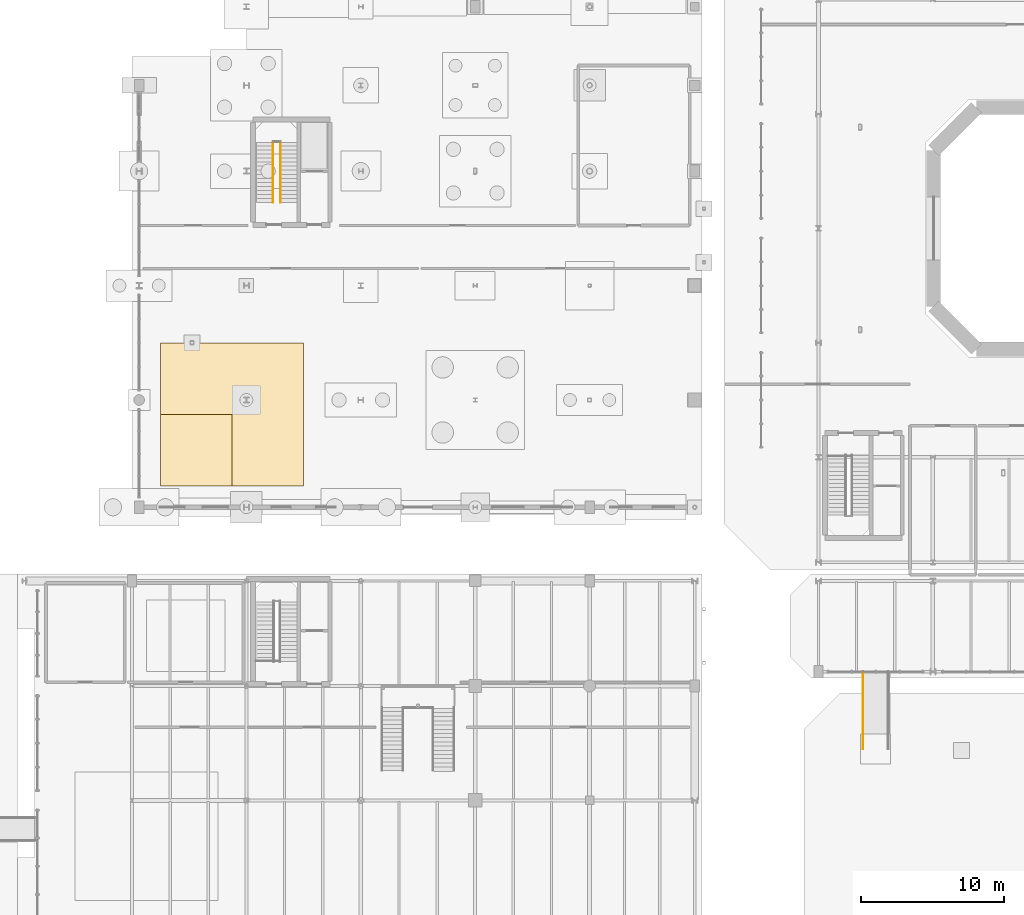
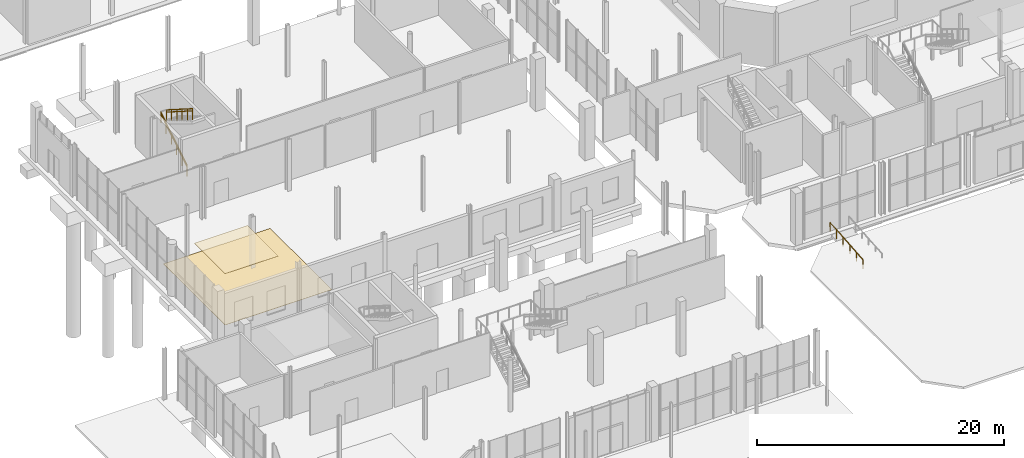
# One storey, part 79 of 87: 5 railings, 2 coverings.
"""IFC4 building model written with IfcOpenShell, lengths in metres."""

from ifc_helpers import new_model, si_unit, direction, frame, origin, origin_2d, place, context, subcontext, project, spatial, rectangle, circle, extrude, material, layer, layer_set, type_object, element, save


model = new_model("IFC4")

# Units and contexts
model_context = context("Model", 3, precision=1e-05, world=origin(), true_north=direction((0.0, 1.0)))
body_context = subcontext(model_context, "Body", "Model", "MODEL_VIEW")
ifc_project = project(units=[si_unit("LENGTHUNIT", "METRE"), si_unit("AREAUNIT", "SQUARE_METRE"), si_unit("VOLUMEUNIT", "CUBIC_METRE"), si_unit("PLANEANGLEUNIT", "RADIAN"), si_unit("MASSUNIT", "GRAM", prefix="KILO")], contexts=[model_context])

# Site, building, storey
site_placement = place(None, origin())
site = spatial("IfcSite", under=ifc_project, at=site_placement, CompositionType="ELEMENT")
building_placement = place(site_placement, origin())
building = spatial("IfcBuilding", under=site, at=building_placement, Name="Brisemont Oceanarium", CompositionType="ELEMENT")
storey_placement = place(building_placement, origin())
storey = spatial("IfcBuildingStorey", under=building, at=storey_placement, Name="L00", CompositionType="ELEMENT", Elevation=0.0)

# Coverings
ifc_material_1 = material(Name="Perforated Marine-Grade Acoustic Baffle Ceiling")
ifc_layer_1 = layer(ifc_material_1, 0.0400390625)
ifc_layer_set_1 = layer_set([ifc_layer_1], Name="Perforated Marine-Grade Acoustic Baffle Ceiling")
covering_type_1 = type_object("IfcCoveringType", Name="COV-CEIL-AC", PredefinedType="CEILING", material=ifc_layer_set_1)
covering_1_placement = place(storey_placement, frame((20.5, 40.5, 5.06005859375), z_axis=(0.0, 0.0, 1.0), x_axis=(1.0, 0.0, 0.0)))
element("IfcCovering", 1, at=covering_1_placement, inside=storey, type_object=covering_type_1, Name="Acoustic baffle ceiling CLG-V5W-L00", PredefinedType="CEILING", context=body_context, shape_type="SweptSolid", body=[
    extrude(rectangle(XDim=5.0, YDim=5.0, at=origin_2d()), origin(), (0.0, 0.0, 1.0), 0.0400390625),
])
ifc_material_2 = material(Name="Epoxy-Bound Recycled Glass Marine Terrazzo", Category="glass")
ifc_layer_2 = layer(ifc_material_2, 0.02490234375)
ifc_layer_set_2 = layer_set([ifc_layer_2], Name="Epoxy-Bound Recycled Glass Marine Terrazzo")
covering_type_2 = type_object("IfcCoveringType", Name="COV-FLR-TER", PredefinedType="FLOORING", material=ifc_layer_set_2)
covering_2_placement = place(storey_placement, frame((23.0, 43.0, 0.0), z_axis=(0.0, 0.0, 1.0), x_axis=(1.0, 0.0, 0.0)))
element("IfcCovering", 2, at=covering_2_placement, inside=storey, type_object=covering_type_2, Name="Marine terrazzo flooring FLG-V5W-KELP", PredefinedType="FLOORING", context=body_context, shape_type="SweptSolid", body=[
    extrude(rectangle(XDim=10.0, YDim=10.0, at=origin_2d()), origin(), (0.0, 0.0, 1.0), 0.02490234375),
])

# Railings
ifc_material_3 = material(Name="Duplex Stainless Steel EN 1.4462", Category="steel")
railing_type_1 = type_object("IfcRailingType", Name="RLG-GUARD-1120", PredefinedType="GUARDRAIL", material=ifc_material_3)
railing_1_placement = place(storey_placement, frame((25.8701171875, 57.800048828125, 0.0)))
element("IfcRailing", 3, at=railing_1_placement, inside=storey, type_object=railing_type_1, Name="ST-05 L00 F1 well guard", PredefinedType="GUARDRAIL", context=body_context, shape_type="SweptSolid", body=[
    extrude(circle(Radius=0.02392578125, at=origin_2d()), frame((0.0, 0.0, 1.09619140625), z_axis=(0.0, 0.84407452441, 0.536225882666), x_axis=(-1.0, 0.0, 0.0)), (0.0, 0.0, 1.0), 5.03515625),
    extrude(circle(Radius=0.02099609375, at=origin_2d()), origin(), (0.0, 0.0, 1.0), 1.072021484375),
    extrude(circle(Radius=0.02099609375, at=origin_2d()), frame((0.0, 0.85009765625, 0.5400390625)), (0.0, 0.0, 1.0), 1.072021484375),
    extrude(circle(Radius=0.02099609375, at=origin_2d()), frame((0.0, 1.699951171875, 1.080078125)), (0.0, 0.0, 1.0), 1.072021484375),
    extrude(circle(Radius=0.02099609375, at=origin_2d()), frame((0.0, 2.550048828125, 1.619873046875)), (0.0, 0.0, 1.0), 1.072021484375),
    extrude(circle(Radius=0.02099609375, at=origin_2d()), frame((0.0, 3.39990234375, 2.159912109375)), (0.0, 0.0, 1.0), 1.072021484375),
    extrude(circle(Radius=0.02099609375, at=origin_2d()), frame((0.0, 4.25, 2.699951171875)), (0.0, 0.0, 1.0), 1.072021484375),
])
railing_2_placement = place(storey_placement, frame((26.389892578125, 62.050048828125, 2.699951171875)))
element("IfcRailing", 4, at=railing_2_placement, inside=storey, type_object=railing_type_1, Name="ST-05 L00 F2 well guard", PredefinedType="GUARDRAIL", context=body_context, shape_type="SweptSolid", body=[
    extrude(circle(Radius=0.02392578125, at=origin_2d()), frame((0.0, 0.0, 1.09619140625), z_axis=(0.0, -0.84407452441, 0.536225882666), x_axis=(1.0, 0.0, 0.0)), (0.0, 0.0, 1.0), 5.03515625),
    extrude(circle(Radius=0.02099609375, at=origin_2d()), origin(), (0.0, 0.0, 1.0), 1.072021484375),
    extrude(circle(Radius=0.02099609375, at=origin_2d()), frame((0.0, -0.85009765625, 0.5400390625)), (0.0, 0.0, 1.0), 1.072021484375),
    extrude(circle(Radius=0.02099609375, at=origin_2d()), frame((0.0, -1.699951171875, 1.080078125)), (0.0, 0.0, 1.0), 1.072021484375),
    extrude(circle(Radius=0.02099609375, at=origin_2d()), frame((0.0, -2.550048828125, 1.619873046875)), (0.0, 0.0, 1.0), 1.072021484375),
    extrude(circle(Radius=0.02099609375, at=origin_2d()), frame((0.0, -3.39990234375, 2.159912109375)), (0.0, 0.0, 1.0), 1.072021484375),
    extrude(circle(Radius=0.02099609375, at=origin_2d()), frame((0.0, -4.25, 2.699951171875)), (0.0, 0.0, 1.0), 1.072021484375),
])
ifc_material_4 = material(Name="Duplex Stainless Steel EN 1.4462", Category="steel")
railing_type_2 = type_object("IfcRailingType", Name="RLG-HAND-900", PredefinedType="HANDRAIL", material=ifc_material_4)
railing_3_placement = place(storey_placement, frame((25.8701171875, 57.800048828125, 0.0)))
element("IfcRailing", 5, at=railing_3_placement, inside=storey, type_object=railing_type_2, Name="ST-05 L00 F1 handrail", PredefinedType="HANDRAIL", context=body_context, shape_type="SweptSolid", body=[
    extrude(circle(Radius=0.02392578125, at=origin_2d()), frame((0.0, 0.0, 0.8759765625), z_axis=(0.0, 0.84407452441, 0.536225882666), x_axis=(-1.0, 0.0, 0.0)), (0.0, 0.0, 1.0), 5.03515625),
    extrude(circle(Radius=0.02099609375, at=origin_2d()), origin(), (0.0, 0.0, 1.0), 0.851806640625),
    extrude(circle(Radius=0.02099609375, at=origin_2d()), frame((0.0, 0.85009765625, 0.5400390625)), (0.0, 0.0, 1.0), 0.851806640625),
    extrude(circle(Radius=0.02099609375, at=origin_2d()), frame((0.0, 1.699951171875, 1.080078125)), (0.0, 0.0, 1.0), 0.851806640625),
    extrude(circle(Radius=0.02099609375, at=origin_2d()), frame((0.0, 2.550048828125, 1.619873046875)), (0.0, 0.0, 1.0), 0.851806640625),
    extrude(circle(Radius=0.02099609375, at=origin_2d()), frame((0.0, 3.39990234375, 2.159912109375)), (0.0, 0.0, 1.0), 0.851806640625),
    extrude(circle(Radius=0.02099609375, at=origin_2d()), frame((0.0, 4.25, 2.699951171875)), (0.0, 0.0, 1.0), 0.851806640625),
])
railing_4_placement = place(storey_placement, frame((26.389892578125, 62.050048828125, 2.699951171875)))
element("IfcRailing", 6, at=railing_4_placement, inside=storey, type_object=railing_type_2, Name="ST-05 L00 F2 handrail", PredefinedType="HANDRAIL", context=body_context, shape_type="SweptSolid", body=[
    extrude(circle(Radius=0.02392578125, at=origin_2d()), frame((0.0, 0.0, 0.8759765625), z_axis=(0.0, -0.84407452441, 0.536225882666), x_axis=(1.0, 0.0, 0.0)), (0.0, 0.0, 1.0), 5.03515625),
    extrude(circle(Radius=0.02099609375, at=origin_2d()), origin(), (0.0, 0.0, 1.0), 0.851806640625),
    extrude(circle(Radius=0.02099609375, at=origin_2d()), frame((0.0, -0.85009765625, 0.5400390625)), (0.0, 0.0, 1.0), 0.851806640625),
    extrude(circle(Radius=0.02099609375, at=origin_2d()), frame((0.0, -1.699951171875, 1.080078125)), (0.0, 0.0, 1.0), 0.851806640625),
    extrude(circle(Radius=0.02099609375, at=origin_2d()), frame((0.0, -2.550048828125, 1.619873046875)), (0.0, 0.0, 1.0), 0.851806640625),
    extrude(circle(Radius=0.02099609375, at=origin_2d()), frame((0.0, -3.39990234375, 2.159912109375)), (0.0, 0.0, 1.0), 0.851806640625),
    extrude(circle(Radius=0.02099609375, at=origin_2d()), frame((0.0, -4.25, 2.699951171875)), (0.0, 0.0, 1.0), 0.851806640625),
])
railing_5_placement = place(storey_placement, frame((67.1201171875, 19.60009765625, -0.449951171875)))
element("IfcRailing", 7, at=railing_5_placement, inside=storey, type_object=railing_type_2, Name="Ramp RMP-02 handrail R", PredefinedType="HANDRAIL", context=body_context, shape_type="SweptSolid", body=[
    extrude(circle(Radius=0.02392578125, at=origin_2d()), frame((0.0, 0.0, 0.8759765625), z_axis=(0.0, 0.996546379678, 0.083038022323), x_axis=(-1.0, 0.0, 0.0)), (0.0, 0.0, 1.0), 5.418701171875),
    extrude(circle(Radius=0.02099609375, at=origin_2d()), origin(), (0.0, 0.0, 1.0), 0.851806640625),
    extrude(circle(Radius=0.02099609375, at=origin_2d()), frame((0.0, 1.080078125, 0.090087890625)), (0.0, 0.0, 1.0), 0.851806640625),
    extrude(circle(Radius=0.02099609375, at=origin_2d()), frame((0.0, 2.159912109375, 0.179931640625)), (0.0, 0.0, 1.0), 0.851806640625),
    extrude(circle(Radius=0.02099609375, at=origin_2d()), frame((0.0, 3.239990234375, 0.27001953125)), (0.0, 0.0, 1.0), 0.851806640625),
    extrude(circle(Radius=0.02099609375, at=origin_2d()), frame((0.0, 4.31982421875, 0.35986328125)), (0.0, 0.0, 1.0), 0.851806640625),
    extrude(circle(Radius=0.02099609375, at=origin_2d()), frame((0.0, 5.39990234375, 0.449951171875)), (0.0, 0.0, 1.0), 0.851806640625),
])

save(model, "model.ifc")
